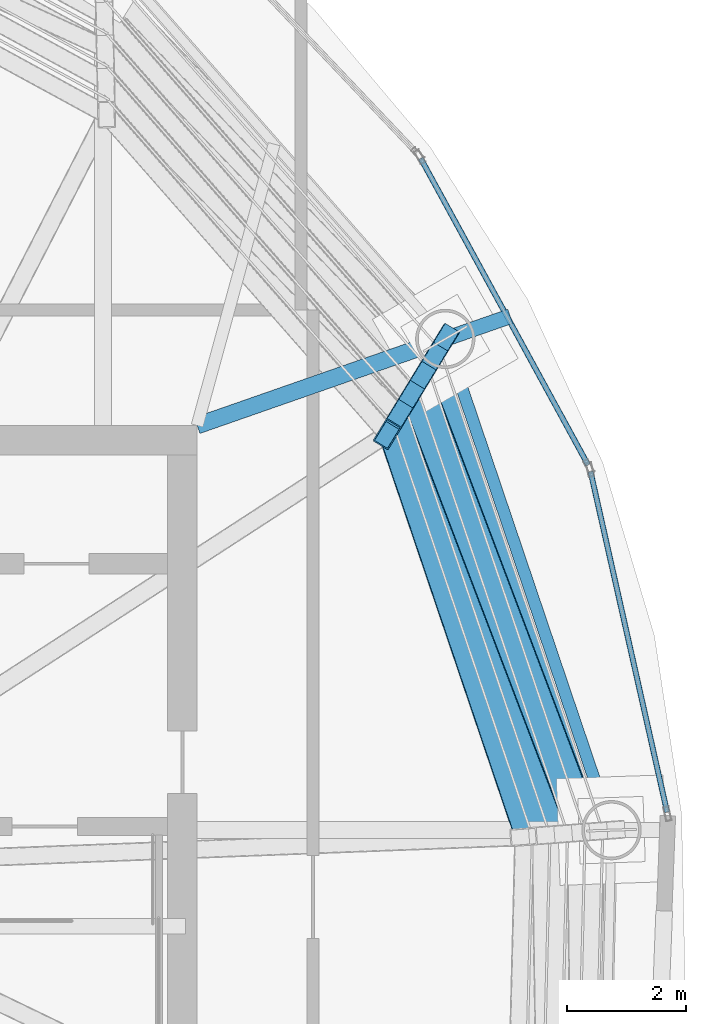
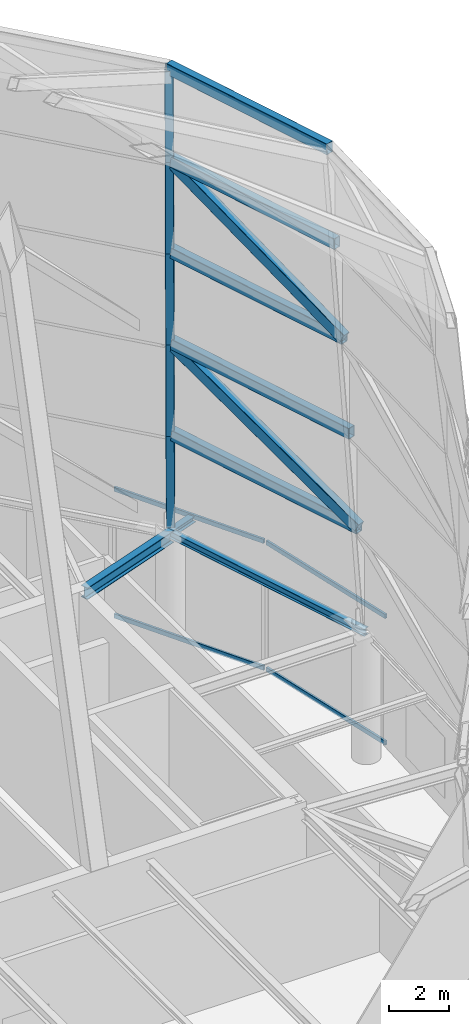
# One storey, part 22 of 40: 16 members, 3 beams, 2 elements without a shape of their own.
"""IFC4 building model written with IfcOpenShell, lengths in metres."""

from ifc_helpers import new_model, si_unit, direction, frame, origin, origin_2d, place, context, subcontext, project, spatial, hollow_rectangle, i_section, extrude, material, layer, layer_set, material_profile, profile_set, type_object, element, aggregate, save


model = new_model("IFC4")

# Units and contexts
model_context = context("Model", 3, precision=1e-05, world=origin(), true_north=direction((0.0, 1.0)))
body_context = subcontext(model_context, "Body", "Model", "MODEL_VIEW")
ifc_project = project(units=[si_unit("LENGTHUNIT", "METRE"), si_unit("AREAUNIT", "SQUARE_METRE"), si_unit("VOLUMEUNIT", "CUBIC_METRE"), si_unit("PLANEANGLEUNIT", "RADIAN"), si_unit("MASSUNIT", "GRAM", prefix="KILO")], contexts=[model_context])

# Site, building, storey
site_placement = place(None, origin())
site = spatial("IfcSite", under=ifc_project, at=site_placement, CompositionType="ELEMENT")
building_placement = place(site_placement, origin())
building = spatial("IfcBuilding", under=site, at=building_placement, Name="Bramvorn Convention Spire", CompositionType="ELEMENT")
storey_placement = place(building_placement, frame((0.0, 0.0, 312.5)))
storey = spatial("IfcBuildingStorey", under=building, at=storey_placement, Name="L79", CompositionType="ELEMENT", Elevation=312.5)

# Beams
ifc_material_1 = material(Name="Steel CSA G40.21 Grade 350 (350W)", Category="steel")
ifc_material_profile_1 = material_profile(ifc_material_1, i_section(OverallWidth=0.25390625, OverallDepth=0.2529296875, WebThickness=0.008544921875, FlangeThickness=0.01416015625, FilletRadius=0.011962890625, at=origin_2d()))
ifc_profile_set_1 = profile_set([ifc_material_profile_1], Name="Steel CSA G40.21 Grade 350 (350W) - W250X73")
beam_type_1 = type_object("IfcBeamType", Name="BM-W250X73", PredefinedType="BEAM", material=ifc_profile_set_1)
beam_1_placement = place(storey_placement, frame((53.4326171875, 34.909912109375, 5.12353515625), z_axis=(0.944143784709, 0.329533782478, 0.0), x_axis=(-0.329533782478, 0.944143784709, 0.0)))
element("IfcBeam", 1, at=beam_1_placement, inside=storey, type_object=beam_type_1, Name="L79 slab-edge cantilever tip beam MC05", PredefinedType="BEAM", context=body_context, shape_type="SweptSolid", body=[
    extrude(i_section(OverallWidth=0.25390625, OverallDepth=0.2529296875, WebThickness=0.008544921875, FlangeThickness=0.01416015625, FilletRadius=0.011962890625, at=origin_2d()), origin(), (0.0, 0.0, 1.0), 1.15869140625),
])
ifc_material_profile_2 = material_profile(ifc_material_1, i_section(OverallWidth=0.202880859375, OverallDepth=0.302978515625, WebThickness=0.007568359375, FlangeThickness=0.01318359375, FilletRadius=0.013916015625, at=origin_2d()))
ifc_profile_set_2 = profile_set([ifc_material_profile_2], Name="Steel CSA G40.21 Grade 350 (350W) - W310X60")
beam_type_2 = type_object("IfcBeamType", Name="BM-W310X60", PredefinedType="JOIST", material=ifc_profile_set_2)
beam_2_placement = place(storey_placement, frame((56.234619140625, 26.62939453125, 5.098388671875), z_axis=(-0.320531023763, 0.947238018032, 0.0), x_axis=(-0.947238018032, -0.320531023763, 0.0)))
element("IfcBeam", 2, at=beam_2_placement, inside=storey, type_object=beam_type_2, Name="L79 mega-column ring beam 04", PredefinedType="JOIST", context=body_context, shape_type="SweptSolid", body=[
    extrude(i_section(OverallWidth=0.202880859375, OverallDepth=0.302978515625, WebThickness=0.007568359375, FlangeThickness=0.01318359375, FilletRadius=0.013916015625, at=origin_2d()), origin(), (0.0, 0.0, 1.0), 8.74169921875),
])
ifc_material_profile_3 = material_profile(ifc_material_1, i_section(OverallWidth=0.283935546875, OverallDepth=0.47607421875, WebThickness=0.014892578125, FlangeThickness=0.02392578125, FilletRadius=0.01806640625, at=origin_2d()))
ifc_profile_set_3 = profile_set([ifc_material_profile_3], Name="Steel CSA G40.21 Grade 350 (350W) - W460X158")
beam_type_3 = type_object("IfcBeamType", Name="BM-W460X158", PredefinedType="SPANDREL", material=ifc_profile_set_3)
beam_3_placement = place(storey_placement, frame((49.25, 33.449951171875, 5.011962890625), z_axis=(0.944136391877, 0.329554962843, 0.0), x_axis=(-0.329554962843, 0.944136391877, 0.0)))
element("IfcBeam", 3, at=beam_3_placement, inside=storey, type_object=beam_type_3, Name="L79 radial floor girder MC05", PredefinedType="SPANDREL", context=body_context, shape_type="SweptSolid", body=[
    extrude(i_section(OverallWidth=0.283935546875, OverallDepth=0.47607421875, WebThickness=0.014892578125, FlangeThickness=0.02392578125, FilletRadius=0.01806640625, at=origin_2d()), origin(), (0.0, 0.0, 1.0), 4.43017578125),
])

# Curtain wall, members
ifc_material_2 = material(Name="Anodised Bronze Unitised Curtain Wall", Category="aluminium")
ifc_layer = layer(ifc_material_2, 0.199951171875)
ifc_layer_set = layer_set([ifc_layer], Name="Anodised Bronze Unitised Curtain Wall - CW-CROWN-SPIRE")
curtain_wall_type = type_object("IfcCurtainWallType", Name="CW-CROWN-SPIRE", PredefinedType="USERDEFINED", material=ifc_layer_set)
curtain_wall_1_placement = place(storey_placement, origin())
curtain_wall_1 = element("IfcCurtainWall", 4, at=curtain_wall_1_placement, inside=storey, type_object=curtain_wall_type, Name="L79 fritted glass curtain wall 06", ObjectType="UNITISED CURTAIN WALL", PredefinedType="USERDEFINED")
ifc_material_3 = material(Name="Anodised Bronze Aluminium 6063-T6", Category="aluminium")
ifc_material_profile_4 = material_profile(ifc_material_3, hollow_rectangle(XDim=0.090087890625, YDim=0.179931640625, WallThickness=0.00439453125, InnerFilletRadius=0.0009765625, OuterFilletRadius=0.00439453125, at=origin_2d()))
ifc_profile_set_4 = profile_set([ifc_material_profile_4], Name="Anodised Bronze Aluminium 6063-T6 - CWT90X180")
member_type_1 = type_object("IfcMemberType", Name="CW-TRN-180", PredefinedType="USERDEFINED", material=ifc_profile_set_4)
member_1_placement = place(storey_placement, frame((55.880859375, 32.67529296875, 0.030029296875), z_axis=(0.219345384236, -0.975647273565, 0.0), x_axis=(0.975647273565, 0.219345384236, 0.0)))
member_1 = element("IfcMember", 5, at=member_1_placement, type_object=member_type_1, Name="CW6 transom 1.1", ObjectType="TRANSOM", PredefinedType="USERDEFINED", context=body_context, shape_type="SweptSolid", body=[
    extrude(hollow_rectangle(XDim=0.090087890625, YDim=0.179931640625, WallThickness=0.00439453125, InnerFilletRadius=0.0009765625, OuterFilletRadius=0.00439453125, at=origin_2d()), origin(), (0.0, 0.0, 1.0), 5.8857421875),
])
member_2_placement = place(storey_placement, frame((55.880859375, 32.67529296875, 5.219970703125), z_axis=(0.219345384236, -0.975647273565, 0.0), x_axis=(0.975647273565, 0.219345384236, 0.0)))
member_2 = element("IfcMember", 6, at=member_2_placement, type_object=member_type_1, Name="CW6 transom 1.2", ObjectType="TRANSOM", PredefinedType="USERDEFINED", context=body_context, shape_type="SweptSolid", body=[
    extrude(hollow_rectangle(XDim=0.090087890625, YDim=0.179931640625, WallThickness=0.00439453125, InnerFilletRadius=0.0009765625, OuterFilletRadius=0.00439453125, at=origin_2d()), origin(), (0.0, 0.0, 1.0), 5.8857421875),
])
aggregate(curtain_wall_1, [member_1, member_2])

curtain_wall_2_placement = place(storey_placement, origin())
curtain_wall_2 = element("IfcCurtainWall", 7, at=curtain_wall_2_placement, inside=storey, type_object=curtain_wall_type, Name="L79 fritted glass curtain wall 07", ObjectType="UNITISED CURTAIN WALL", PredefinedType="USERDEFINED")
member_3_placement = place(storey_placement, frame((53.018798828125, 37.95263671875, 0.030029296875), z_axis=(0.479128195797, -0.877744935612, 0.0), x_axis=(0.877744935612, 0.479128195797, 0.0)))
member_3 = element("IfcMember", 8, at=member_3_placement, type_object=member_type_1, Name="CW6 transom 1.1", ObjectType="TRANSOM", PredefinedType="USERDEFINED", context=body_context, shape_type="SweptSolid", body=[
    extrude(hollow_rectangle(XDim=0.090087890625, YDim=0.179931640625, WallThickness=0.00439453125, InnerFilletRadius=0.0009765625, OuterFilletRadius=0.00439453125, at=origin_2d()), origin(), (0.0, 0.0, 1.0), 5.8857421875),
])
member_4_placement = place(storey_placement, frame((53.018798828125, 37.95263671875, 5.219970703125), z_axis=(0.479128195797, -0.877744935612, 0.0), x_axis=(0.877744935612, 0.479128195797, 0.0)))
member_4 = element("IfcMember", 9, at=member_4_placement, type_object=member_type_1, Name="CW6 transom 1.2", ObjectType="TRANSOM", PredefinedType="USERDEFINED", context=body_context, shape_type="SweptSolid", body=[
    extrude(hollow_rectangle(XDim=0.090087890625, YDim=0.179931640625, WallThickness=0.00439453125, InnerFilletRadius=0.0009765625, OuterFilletRadius=0.00439453125, at=origin_2d()), origin(), (0.0, 0.0, 1.0), 5.8857421875),
])
aggregate(curtain_wall_2, [member_3, member_4])

# Members
ifc_material_profile_5 = material_profile(ifc_material_1, hollow_rectangle(XDim=0.300048828125, YDim=0.449951171875, WallThickness=0.02001953125, InnerFilletRadius=0.00390625, OuterFilletRadius=0.02392578125, at=origin_2d()))
ifc_profile_set_5 = profile_set([ifc_material_profile_5], Name="Steel CSA G40.21 Grade 350 (350W) - CROWN450X300X20")
member_type_2 = type_object("IfcMemberType", Name="MBR-CROWN450X300X20", PredefinedType="USERDEFINED", material=ifc_profile_set_5)
member_5_placement = place(storey_placement, frame((55.938232421875, 26.606689453125, 9.5), z_axis=(-0.320535389265, 0.947236540801, 0.0), x_axis=(-0.947236540801, -0.320535389265, 0.0)))
element("IfcMember", 10, at=member_5_placement, inside=storey, type_object=member_type_2, Name="Crown spire CROWN FRAME ring beam T1-04", ObjectType="CROWN FRAME", PredefinedType="USERDEFINED", context=body_context, shape_type="SweptSolid", body=[
    extrude(hollow_rectangle(XDim=0.300048828125, YDim=0.449951171875, WallThickness=0.02001953125, InnerFilletRadius=0.00390625, OuterFilletRadius=0.02392578125, at=origin_2d()), origin(), (0.0, 0.0, 1.0), 8.427001953125),
])
member_6_placement = place(storey_placement, frame((53.4326171875, 34.909912109375, 5.5), z_axis=(-0.048674921171, -0.07984874709, 0.995617863257), x_axis=(0.853859573118, -0.520503438408, 0.0)))
element("IfcMember", 11, at=member_6_placement, inside=storey, type_object=member_type_2, Name="Crown spire CROWN FRAME rib T1-05", ObjectType="CROWN FRAME", PredefinedType="USERDEFINED", context=body_context, shape_type="SweptSolid", body=[
    extrude(hollow_rectangle(XDim=0.300048828125, YDim=0.449951171875, WallThickness=0.02001953125, InnerFilletRadius=0.00390625, OuterFilletRadius=0.02392578125, at=origin_2d()), origin(), (0.0, 0.0, 1.0), 4.017578125),
])
member_7_placement = place(storey_placement, frame((55.6416015625, 26.584228515625, 13.5), z_axis=(-0.320513090341, 0.947244086242, 0.0), x_axis=(-0.947244086242, -0.320513090341, 0.0)))
element("IfcMember", 12, at=member_7_placement, inside=storey, type_object=member_type_2, Name="Crown spire CROWN FRAME ring beam T2-04", ObjectType="CROWN FRAME", PredefinedType="USERDEFINED", context=body_context, shape_type="SweptSolid", body=[
    extrude(hollow_rectangle(XDim=0.300048828125, YDim=0.449951171875, WallThickness=0.02001953125, InnerFilletRadius=0.00390625, OuterFilletRadius=0.02392578125, at=origin_2d()), origin(), (0.0, 0.0, 1.0), 8.1123046875),
])
member_8_placement = place(storey_placement, frame((55.938232421875, 26.606689453125, 9.5), z_axis=(-0.317775043436, 0.840516998579, 0.438805420282), x_axis=(-0.935381410306, -0.353640519813, 0.0)))
element("IfcMember", 13, at=member_8_placement, inside=storey, type_object=member_type_2, Name="Crown spire CROWN FRAME wind brace T2-04", ObjectType="CROWN FRAME", PredefinedType="USERDEFINED", context=body_context, shape_type="SweptSolid", body=[
    extrude(hollow_rectangle(XDim=0.300048828125, YDim=0.449951171875, WallThickness=0.02001953125, InnerFilletRadius=0.00390625, OuterFilletRadius=0.02392578125, at=origin_2d()), origin(), (0.0, 0.0, 1.0), 9.11572265625),
])
member_9_placement = place(storey_placement, frame((53.237060546875, 34.589111328125, 9.5), z_axis=(-0.048675157265, -0.079788366403, 0.995622692415), x_axis=(0.853683375579, -0.520792371545, 0.0)))
element("IfcMember", 14, at=member_9_placement, inside=storey, type_object=member_type_2, Name="Crown spire CROWN FRAME rib T2-05", ObjectType="CROWN FRAME", PredefinedType="USERDEFINED", context=body_context, shape_type="SweptSolid", body=[
    extrude(hollow_rectangle(XDim=0.300048828125, YDim=0.449951171875, WallThickness=0.02001953125, InnerFilletRadius=0.00390625, OuterFilletRadius=0.02392578125, at=origin_2d()), origin(), (0.0, 0.0, 1.0), 4.017578125),
])
member_10_placement = place(storey_placement, frame((55.34521484375, 26.5615234375, 17.5), z_axis=(-0.320517084536, 0.947242734742, 0.0), x_axis=(-0.947242734742, -0.320517084536, 0.0)))
element("IfcMember", 15, at=member_10_placement, inside=storey, type_object=member_type_2, Name="Crown spire CROWN FRAME ring beam T3-04", ObjectType="CROWN FRAME", PredefinedType="USERDEFINED", context=body_context, shape_type="SweptSolid", body=[
    extrude(hollow_rectangle(XDim=0.300048828125, YDim=0.449951171875, WallThickness=0.02001953125, InnerFilletRadius=0.00390625, OuterFilletRadius=0.02392578125, at=origin_2d()), origin(), (0.0, 0.0, 1.0), 7.797607421875),
])
member_11_placement = place(storey_placement, frame((53.04150390625, 34.2685546875, 13.5), z_axis=(-0.048674921171, -0.07984874709, 0.995617863257), x_axis=(0.853859573118, -0.520503438408, 0.0)))
element("IfcMember", 16, at=member_11_placement, inside=storey, type_object=member_type_2, Name="Crown spire CROWN FRAME rib T3-05", ObjectType="CROWN FRAME", PredefinedType="USERDEFINED", context=body_context, shape_type="SweptSolid", body=[
    extrude(hollow_rectangle(XDim=0.300048828125, YDim=0.449951171875, WallThickness=0.02001953125, InnerFilletRadius=0.00390625, OuterFilletRadius=0.02392578125, at=origin_2d()), origin(), (0.0, 0.0, 1.0), 4.017578125),
])
member_12_placement = place(storey_placement, frame((55.048828125, 26.538818359375, 21.5), z_axis=(-0.320521414668, 0.94724126955, 0.0), x_axis=(-0.94724126955, -0.320521414668, 0.0)))
element("IfcMember", 17, at=member_12_placement, inside=storey, type_object=member_type_2, Name="Crown spire CROWN FRAME ring beam T4-04", ObjectType="CROWN FRAME", PredefinedType="USERDEFINED", context=body_context, shape_type="SweptSolid", body=[
    extrude(hollow_rectangle(XDim=0.300048828125, YDim=0.449951171875, WallThickness=0.02001953125, InnerFilletRadius=0.00390625, OuterFilletRadius=0.02392578125, at=origin_2d()), origin(), (0.0, 0.0, 1.0), 7.48291015625),
])
member_13_placement = place(storey_placement, frame((55.34521484375, 26.5615234375, 17.5), z_axis=(-0.315012069769, 0.825914957339, 0.467580879787), x_axis=(-0.934345475858, -0.356368533605, 0.0)))
element("IfcMember", 18, at=member_13_placement, inside=storey, type_object=member_type_2, Name="Crown spire CROWN FRAME wind brace T4-04", ObjectType="CROWN FRAME", PredefinedType="USERDEFINED", context=body_context, shape_type="SweptSolid", body=[
    extrude(hollow_rectangle(XDim=0.300048828125, YDim=0.449951171875, WallThickness=0.02001953125, InnerFilletRadius=0.00390625, OuterFilletRadius=0.02392578125, at=origin_2d()), origin(), (0.0, 0.0, 1.0), 8.5546875),
])
member_14_placement = place(storey_placement, frame((52.845947265625, 33.94775390625, 17.5), z_axis=(-0.048674921171, -0.07984874709, 0.995617863257), x_axis=(0.853859573118, -0.520503438408, 0.0)))
element("IfcMember", 19, at=member_14_placement, inside=storey, type_object=member_type_2, Name="Crown spire CROWN FRAME rib T4-05", ObjectType="CROWN FRAME", PredefinedType="USERDEFINED", context=body_context, shape_type="SweptSolid", body=[
    extrude(hollow_rectangle(XDim=0.300048828125, YDim=0.449951171875, WallThickness=0.02001953125, InnerFilletRadius=0.00390625, OuterFilletRadius=0.02392578125, at=origin_2d()), origin(), (0.0, 0.0, 1.0), 4.017578125),
])
member_15_placement = place(storey_placement, frame((54.75244140625, 26.51611328125, 25.5), z_axis=(-0.320556684062, 0.947229334587, 0.0), x_axis=(-0.947229334587, -0.320556684062, 0.0)))
element("IfcMember", 20, at=member_15_placement, inside=storey, type_object=member_type_2, Name="Crown spire CROWN FRAME ring beam T5-04", ObjectType="CROWN FRAME", PredefinedType="USERDEFINED", context=body_context, shape_type="SweptSolid", body=[
    extrude(hollow_rectangle(XDim=0.300048828125, YDim=0.449951171875, WallThickness=0.02001953125, InnerFilletRadius=0.00390625, OuterFilletRadius=0.02392578125, at=origin_2d()), origin(), (0.0, 0.0, 1.0), 7.168212890625),
])
member_16_placement = place(storey_placement, frame((52.650390625, 33.626953125, 21.5), z_axis=(-0.04873554462, -0.079848510762, 0.995614916531), x_axis=(0.853570736837, -0.520976964188, 0.0)))
element("IfcMember", 21, at=member_16_placement, inside=storey, type_object=member_type_2, Name="Crown spire CROWN FRAME rib T5-05", ObjectType="CROWN FRAME", PredefinedType="USERDEFINED", context=body_context, shape_type="SweptSolid", body=[
    extrude(hollow_rectangle(XDim=0.300048828125, YDim=0.449951171875, WallThickness=0.02001953125, InnerFilletRadius=0.00390625, OuterFilletRadius=0.02392578125, at=origin_2d()), origin(), (0.0, 0.0, 1.0), 4.017578125),
])

save(model, "model.ifc")
